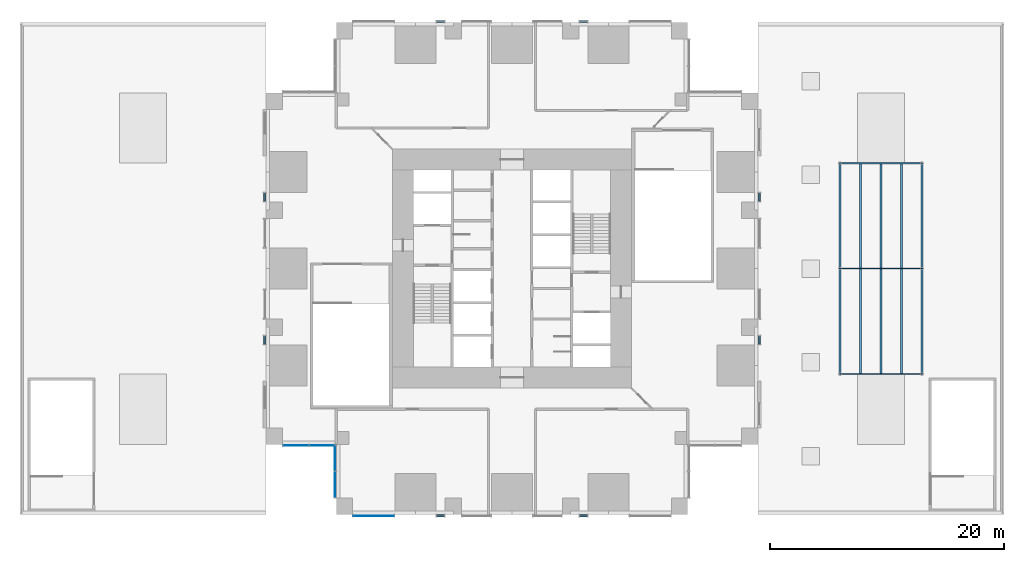
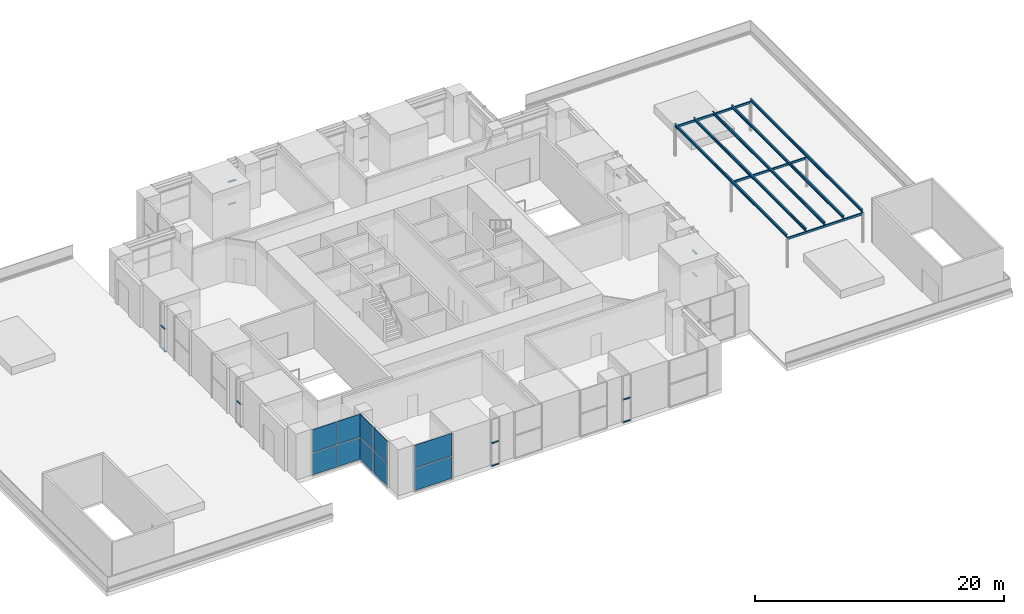
# One storey, part 6 of 14: 21 members, 10 plates, 3 beams, 11 elements without a shape of their own.
"""IFC4 building model written with IfcOpenShell, lengths in metres."""

import ifcopenshell
import ifcopenshell.guid

model = None  # the IFC model being written
_history = None  # IfcOwnerHistory: only IFC2X3 demands one
_inside = {}  # id of a spatial element -> (the spatial element, [elements in it])
_under = {}  # id of a project, library or spatial element -> (it, [spatial elements below it])
_declared = {}  # id of a project -> (the project, [libraries it declares])
_typed = {}  # id of a type object -> (the type object, [elements of that type])
_made_of = {}  # id of a material, layer set ... -> (it, [elements and type objects made of it])


def new_model(schema):
    """Start an empty IFC model of exactly this schema.

    Asked for "IFC4X3", IfcOpenShell would pick the latest addendum, in which some entities
    have other attributes; the version numbers below select the first issue.
    IFC2X3 requires an IfcOwnerHistory on every rooted entity: one is made here for all.
    """
    global model, _history
    if schema == "IFC4X3":
        model = ifcopenshell.file(schema_version=(4, 3, 0, 0))
    else:
        model = ifcopenshell.file(schema=schema)
    _inside.clear()
    _under.clear()
    _declared.clear()
    _typed.clear()
    _made_of.clear()
    _history = None
    if model.schema == "IFC2X3":
        org = make("IfcOrganization", Name="unknown")
        user = make(
            "IfcPersonAndOrganization",
            ThePerson=make("IfcPerson", FamilyName="unknown"),
            TheOrganization=org,
        )
        app = make(
            "IfcApplication",
            ApplicationDeveloper=org,
            Version="unknown",
            ApplicationFullName="unknown",
            ApplicationIdentifier="unknown",
        )
        _history = make(
            "IfcOwnerHistory",
            OwningUser=user,
            OwningApplication=app,
            ChangeAction="ADDED",
            CreationDate=0,
        )
    return model


def make(cls, **values):
    """One entity of the class cls with the attributes given. An attribute that is None is left unset."""
    return model.create_entity(
        cls, **{name: value for name, value in values.items() if value is not None}
    )


def rooted(cls, **values):
    """An entity with a GlobalId (a new one), such as an element, a storey or a relation."""
    return make(cls, GlobalId=ifcopenshell.guid.new(), OwnerHistory=_history, **values)


def si_unit(unit_type, name, prefix=None):
    """IfcSIUnit, for example si_unit("LENGTHUNIT", "METRE", prefix="MILLI")."""
    return make("IfcSIUnit", UnitType=unit_type, Prefix=prefix, Name=name)


def assignment(units):
    """IfcUnitAssignment: the units of a project."""
    return None if units is None else make("IfcUnitAssignment", Units=units)


def point(xyz):
    """IfcCartesianPoint."""
    return None if xyz is None else make("IfcCartesianPoint", Coordinates=xyz)


def direction(xyz):
    """IfcDirection."""
    return None if xyz is None else make("IfcDirection", DirectionRatios=xyz)


def frame(location, z_axis=None, x_axis=None):
    """IfcAxis2Placement3D, a coordinate frame: its origin and axes. An axis left out is left unset."""
    return make(
        "IfcAxis2Placement3D",
        Location=point(location),
        Axis=direction(z_axis),
        RefDirection=direction(x_axis),
    )


def frame_2d(location, x_axis=None):
    """IfcAxis2Placement2D, a coordinate frame in the plane: its origin and x axis."""
    return make(
        "IfcAxis2Placement2D", Location=point(location), RefDirection=direction(x_axis)
    )


def origin():
    """The frame at (0, 0, 0) with its axes left unset."""
    return frame((0.0, 0.0, 0.0))


def origin_2d():
    """The frame at (0, 0) in the plane with its x axis left unset."""
    return frame_2d((0.0, 0.0))


def place(relative_to, where):
    """IfcLocalPlacement: puts the frame where relative to a parent placement (None: the world)."""
    return make(
        "IfcLocalPlacement", PlacementRelTo=relative_to, RelativePlacement=where
    )


def context(
    kind, dimensions, precision=None, world=None, true_north=None, identifier=None
):
    """IfcGeometricRepresentationContext, for example the 3D "Model" context."""
    return make(
        "IfcGeometricRepresentationContext",
        ContextIdentifier=identifier,
        ContextType=kind,
        CoordinateSpaceDimension=dimensions,
        Precision=precision,
        WorldCoordinateSystem=world,
        TrueNorth=true_north,
    )


def subcontext(parent, identifier, kind, view, scale=None):
    """IfcGeometricRepresentationSubContext, for example "Body" below "Model"."""
    return make(
        "IfcGeometricRepresentationSubContext",
        ContextIdentifier=identifier,
        ContextType=kind,
        ParentContext=parent,
        TargetScale=scale,
        TargetView=view,
    )


def project(units=None, contexts=None):
    """IfcProject with its units and contexts."""
    return rooted(
        "IfcProject",
        Name="project",
        RepresentationContexts=contexts,
        UnitsInContext=assignment(units),
    )


def spatial(cls, under=None, at=None, **own):
    """A site, building, storey or space (cls), placed at a placement, below another one or the project."""
    s = rooted(cls, ObjectPlacement=at, **own)
    if under is not None:
        _under.setdefault(under.id(), (under, []))[1].append(s)
    return s


def profile(cls, at=None, kind="AREA", **sizes):
    """A parametric profile (cls). Its sizes go by their IFC names, for example OverallWidth=200.0."""
    return make(cls, ProfileType=kind, Position=at, **sizes)


def rectangle(**sizes):
    """IfcRectangleProfileDef."""
    return profile("IfcRectangleProfileDef", **sizes)


def hollow_rectangle(**sizes):
    """IfcRectangleHollowProfileDef."""
    return profile("IfcRectangleHollowProfileDef", **sizes)


def i_section(**sizes):
    """IfcIShapeProfileDef."""
    return profile("IfcIShapeProfileDef", **sizes)


def extrude(swept, where, along, depth):
    """IfcExtrudedAreaSolid: the profile swept, set in the frame where, extruded along a direction by depth."""
    return make(
        "IfcExtrudedAreaSolid",
        SweptArea=swept,
        Position=where,
        ExtrudedDirection=direction(along),
        Depth=depth,
    )


def shape(context_of_items, identifier, shape_type, items):
    """IfcShapeRepresentation: the items that make up one representation, for example the "Body"."""
    return make(
        "IfcShapeRepresentation",
        ContextOfItems=context_of_items,
        RepresentationIdentifier=identifier,
        RepresentationType=shape_type,
        Items=items,
    )


def material(Name=None, Category=None):
    """IfcMaterial."""
    return make("IfcMaterial", Name=Name, Category=Category)


def layer(
    of_material, thickness, ventilated=None, Name=None, Category=None, Priority=None
):
    """IfcMaterialLayer: one layer of a wall or slab, of a material (None: an air gap)."""
    return make(
        "IfcMaterialLayer",
        Material=of_material,
        LayerThickness=thickness,
        IsVentilated=ventilated,
        Name=Name,
        Category=Category,
        Priority=Priority,
    )


def layer_set(layers, Name=None):
    """IfcMaterialLayerSet."""
    return make("IfcMaterialLayerSet", MaterialLayers=layers, LayerSetName=Name)


def material_profile(
    of_material, cross_section, Name=None, Category=None, Priority=None
):
    """IfcMaterialProfile: a cross section and its material."""
    return make(
        "IfcMaterialProfile",
        Name=Name,
        Material=of_material,
        Profile=cross_section,
        Priority=Priority,
        Category=Category,
    )


def profile_set(profiles, Name=None, composite=None):
    """IfcMaterialProfileSet."""
    return make(
        "IfcMaterialProfileSet",
        Name=Name,
        MaterialProfiles=profiles,
        CompositeProfile=composite,
    )


def made_of(thing, what):
    """Note that an element or type object is made of a material, layer set ...; save() writes the relation."""
    if what is not None:
        _made_of.setdefault(what.id(), (what, []))[1].append(thing)
    return thing


def type_object(cls, material=None, **own):
    """A type object (cls), such as IfcWallType, which elements share."""
    return made_of(rooted(cls, **own), material)


def element(
    cls,
    number,
    at=None,
    inside=None,
    cuts=None,
    type_object=None,
    material=None,
    context=None,
    identifier="Body",
    shape_type=None,
    held_by="IfcProductDefinitionShape",
    body=None,
    shapes=None,
    **own,
):
    """One element of the class cls, such as IfcWall. Its Tag is "e" and its number.

    at: its placement. inside: the storey or other place that contains it. cuts: it is an
    opening in that element (IfcRelVoidsElement). A single representation is given by context,
    identifier, shape_type and body (its items); several are given by shapes. held_by: the class
    of the entity that holds the representations. save() writes the other relations.
    """
    e = rooted(cls, Tag="e%d" % number, ObjectPlacement=at, **own)
    if body is not None:
        shapes = [shape(context, identifier, shape_type, body)]
    if shapes is not None:
        e.Representation = make(held_by, Representations=shapes)
    if inside is not None:
        _inside.setdefault(inside.id(), (inside, []))[1].append(e)
    if cuts is not None:
        rooted(
            "IfcRelVoidsElement", RelatingBuildingElement=cuts, RelatedOpeningElement=e
        )
    if type_object is not None:
        _typed.setdefault(type_object.id(), (type_object, []))[1].append(e)
    return made_of(e, material)


def aggregate(whole, parts):
    """IfcRelAggregates: a whole, such as a stair, and the parts it consists of."""
    return rooted("IfcRelAggregates", RelatingObject=whole, RelatedObjects=parts)


def save(model, path):
    """Write the relations noted so far, then the file.

    IfcRelAggregates (storeys below a building ...), IfcRelContainedInSpatialStructure (elements
    in a storey), IfcRelDefinesByType, IfcRelAssociatesMaterial and IfcRelDeclares: one each for
    every whole, place, type object, material and project.
    """
    for whole, parts in _under.values():
        aggregate(whole, parts)
    for where, things in _inside.values():
        rooted(
            "IfcRelContainedInSpatialStructure",
            RelatedElements=things,
            RelatingStructure=where,
        )
    for kind, things in _typed.values():
        rooted("IfcRelDefinesByType", RelatedObjects=things, RelatingType=kind)
    for what, things in _made_of.values():
        rooted("IfcRelAssociatesMaterial", RelatedObjects=things, RelatingMaterial=what)
    for by, libraries in _declared.values():
        rooted("IfcRelDeclares", RelatingContext=by, RelatedDefinitions=libraries)
    model.write(path)


model = new_model("IFC4")

# Units and contexts
model_context = context("Model", 3, precision=1e-05, world=origin(), true_north=direction((0.0, 1.0)))
body_context = subcontext(model_context, "Body", "Model", "MODEL_VIEW")
ifc_project = project(units=[si_unit("LENGTHUNIT", "METRE"), si_unit("AREAUNIT", "SQUARE_METRE"), si_unit("VOLUMEUNIT", "CUBIC_METRE"), si_unit("PLANEANGLEUNIT", "RADIAN"), si_unit("MASSUNIT", "GRAM", prefix="KILO")], contexts=[model_context])

# Site, building, storey
site_placement = place(None, origin())
site = spatial("IfcSite", under=ifc_project, at=site_placement, CompositionType="ELEMENT")
building_placement = place(site_placement, origin())
building = spatial("IfcBuilding", under=site, at=building_placement, Name="Svetlomir Tower", CompositionType="ELEMENT")
storey_placement = place(building_placement, frame((0.0, 0.0, 18.0)))
storey = spatial("IfcBuildingStorey", under=building, at=storey_placement, Name="L03", CompositionType="ELEMENT", Elevation=18.0)

# Curtain wall, members
ifc_material_1 = material(Name="Bronze anodised aluminium curtain wall", Category="aluminium")
curtain_wall_type = type_object("IfcCurtainWallType", Name="CURTAIN WALL CW2 SKY LOBBY", PredefinedType="NOTDEFINED", material=ifc_material_1)
curtain_wall_1_placement = place(storey_placement, origin())
curtain_wall_1 = element("IfcCurtainWall", 1, at=curtain_wall_1_placement, inside=storey, type_object=curtain_wall_type, Name="Curtain wall CW2 L03", PredefinedType="NOTDEFINED")
ifc_material_2 = material(Name="Bronze anodised aluminium", Category="aluminium")
ifc_material_profile_1 = material_profile(ifc_material_2, rectangle(XDim=0.159912109375, YDim=0.06494140625, at=origin_2d()), Name="AL 160x65")
ifc_profile_set_1 = profile_set([ifc_material_profile_1], Name="Bronze anodised aluminium 6063-T6")
member_type_1 = type_object("IfcMemberType", Name="CW2 TRANSOM 65x160", PredefinedType="USERDEFINED", material=ifc_profile_set_1)
member_1_placement = place(storey_placement, frame((14.56494140625, -0.10009765625, 0.032470703125), z_axis=(1.0, 0.0, 0.0), x_axis=(0.0, 1.0, 0.0)))
member_1 = element("IfcMember", 2, at=member_1_placement, type_object=member_type_1, Name="CW2 transom 1.1", ObjectType="TRANSOM", PredefinedType="USERDEFINED", context=body_context, shape_type="SweptSolid", body=[
    extrude(rectangle(XDim=0.159912109375, YDim=0.06494140625, at=origin_2d()), origin(), (0.0, 0.0, 1.0), 0.670166015625),
])
member_2_placement = place(storey_placement, frame((14.56494140625, -0.10009765625, 2.25), z_axis=(1.0, 0.0, 0.0), x_axis=(0.0, 1.0, 0.0)))
member_2 = element("IfcMember", 3, at=member_2_placement, type_object=member_type_1, Name="CW2 transom 1.2", ObjectType="TRANSOM", PredefinedType="USERDEFINED", context=body_context, shape_type="SweptSolid", body=[
    extrude(rectangle(XDim=0.159912109375, YDim=0.06494140625, at=origin_2d()), origin(), (0.0, 0.0, 1.0), 0.670166015625),
])
aggregate(curtain_wall_1, [member_1, member_2])

curtain_wall_2_placement = place(storey_placement, origin())
curtain_wall_2 = element("IfcCurtainWall", 4, at=curtain_wall_2_placement, inside=storey, type_object=curtain_wall_type, Name="Curtain wall CW2 L03", PredefinedType="NOTDEFINED")
member_3_placement = place(storey_placement, frame((26.764892578125, -0.10009765625, 0.032470703125), z_axis=(1.0, 0.0, 0.0), x_axis=(0.0, 1.0, 0.0)))
member_3 = element("IfcMember", 5, at=member_3_placement, type_object=member_type_1, Name="CW2 transom 1.1", ObjectType="TRANSOM", PredefinedType="USERDEFINED", context=body_context, shape_type="SweptSolid", body=[
    extrude(rectangle(XDim=0.159912109375, YDim=0.06494140625, at=origin_2d()), origin(), (0.0, 0.0, 1.0), 0.670166015625),
])
member_4_placement = place(storey_placement, frame((26.764892578125, -0.10009765625, 2.25), z_axis=(1.0, 0.0, 0.0), x_axis=(0.0, 1.0, 0.0)))
member_4 = element("IfcMember", 6, at=member_4_placement, type_object=member_type_1, Name="CW2 transom 1.2", ObjectType="TRANSOM", PredefinedType="USERDEFINED", context=body_context, shape_type="SweptSolid", body=[
    extrude(rectangle(XDim=0.159912109375, YDim=0.06494140625, at=origin_2d()), origin(), (0.0, 0.0, 1.0), 0.670166015625),
])
aggregate(curtain_wall_2, [member_3, member_4])

curtain_wall_3_placement = place(storey_placement, origin())
curtain_wall_3 = element("IfcCurtainWall", 7, at=curtain_wall_3_placement, inside=storey, type_object=curtain_wall_type, Name="Curtain wall CW2 L03", PredefinedType="NOTDEFINED")
member_5_placement = place(storey_placement, frame((42.10009765625, 14.56494140625, 0.032470703125), z_axis=(0.0, 1.0, 0.0), x_axis=(-1.0, 0.0, 0.0)))
member_5 = element("IfcMember", 8, at=member_5_placement, type_object=member_type_1, Name="CW2 transom 1.1", ObjectType="TRANSOM", PredefinedType="USERDEFINED", context=body_context, shape_type="SweptSolid", body=[
    extrude(rectangle(XDim=0.159912109375, YDim=0.06494140625, at=origin_2d()), origin(), (0.0, 0.0, 1.0), 0.670166015625),
])
member_6_placement = place(storey_placement, frame((42.10009765625, 14.56494140625, 2.25), z_axis=(0.0, 1.0, 0.0), x_axis=(-1.0, 0.0, 0.0)))
member_6 = element("IfcMember", 9, at=member_6_placement, type_object=member_type_1, Name="CW2 transom 1.2", ObjectType="TRANSOM", PredefinedType="USERDEFINED", context=body_context, shape_type="SweptSolid", body=[
    extrude(rectangle(XDim=0.159912109375, YDim=0.06494140625, at=origin_2d()), origin(), (0.0, 0.0, 1.0), 0.670166015625),
])
aggregate(curtain_wall_3, [member_5, member_6])

curtain_wall_4_placement = place(storey_placement, origin())
curtain_wall_4 = element("IfcCurtainWall", 10, at=curtain_wall_4_placement, inside=storey, type_object=curtain_wall_type, Name="Curtain wall CW2 L03", PredefinedType="NOTDEFINED")
member_7_placement = place(storey_placement, frame((42.10009765625, 26.764892578125, 0.032470703125), z_axis=(0.0, 1.0, 0.0), x_axis=(-1.0, 0.0, 0.0)))
member_7 = element("IfcMember", 11, at=member_7_placement, type_object=member_type_1, Name="CW2 transom 1.1", ObjectType="TRANSOM", PredefinedType="USERDEFINED", context=body_context, shape_type="SweptSolid", body=[
    extrude(rectangle(XDim=0.159912109375, YDim=0.06494140625, at=origin_2d()), origin(), (0.0, 0.0, 1.0), 0.670166015625),
])
member_8_placement = place(storey_placement, frame((42.10009765625, 26.764892578125, 2.25), z_axis=(0.0, 1.0, 0.0), x_axis=(-1.0, 0.0, 0.0)))
member_8 = element("IfcMember", 12, at=member_8_placement, type_object=member_type_1, Name="CW2 transom 1.2", ObjectType="TRANSOM", PredefinedType="USERDEFINED", context=body_context, shape_type="SweptSolid", body=[
    extrude(rectangle(XDim=0.159912109375, YDim=0.06494140625, at=origin_2d()), origin(), (0.0, 0.0, 1.0), 0.670166015625),
])
aggregate(curtain_wall_4, [member_7, member_8])

curtain_wall_5_placement = place(storey_placement, origin())
curtain_wall_5 = element("IfcCurtainWall", 13, at=curtain_wall_5_placement, inside=storey, type_object=curtain_wall_type, Name="Curtain wall CW2 L03", PredefinedType="NOTDEFINED")
member_9_placement = place(storey_placement, frame((27.43505859375, 42.10009765625, 0.032470703125), z_axis=(-1.0, 0.0, 0.0), x_axis=(0.0, -1.0, 0.0)))
member_9 = element("IfcMember", 14, at=member_9_placement, type_object=member_type_1, Name="CW2 transom 1.1", ObjectType="TRANSOM", PredefinedType="USERDEFINED", context=body_context, shape_type="SweptSolid", body=[
    extrude(rectangle(XDim=0.159912109375, YDim=0.06494140625, at=origin_2d()), origin(), (0.0, 0.0, 1.0), 0.670166015625),
])
member_10_placement = place(storey_placement, frame((27.43505859375, 42.10009765625, 2.25), z_axis=(-1.0, 0.0, 0.0), x_axis=(0.0, -1.0, 0.0)))
member_10 = element("IfcMember", 15, at=member_10_placement, type_object=member_type_1, Name="CW2 transom 1.2", ObjectType="TRANSOM", PredefinedType="USERDEFINED", context=body_context, shape_type="SweptSolid", body=[
    extrude(rectangle(XDim=0.159912109375, YDim=0.06494140625, at=origin_2d()), origin(), (0.0, 0.0, 1.0), 0.670166015625),
])
aggregate(curtain_wall_5, [member_9, member_10])

curtain_wall_6_placement = place(storey_placement, origin())
curtain_wall_6 = element("IfcCurtainWall", 16, at=curtain_wall_6_placement, inside=storey, type_object=curtain_wall_type, Name="Curtain wall CW2 L03", PredefinedType="NOTDEFINED")
member_11_placement = place(storey_placement, frame((15.235107421875, 42.10009765625, 0.032470703125), z_axis=(-1.0, 0.0, 0.0), x_axis=(0.0, -1.0, 0.0)))
member_11 = element("IfcMember", 17, at=member_11_placement, type_object=member_type_1, Name="CW2 transom 1.1", ObjectType="TRANSOM", PredefinedType="USERDEFINED", context=body_context, shape_type="SweptSolid", body=[
    extrude(rectangle(XDim=0.159912109375, YDim=0.06494140625, at=origin_2d()), origin(), (0.0, 0.0, 1.0), 0.670166015625),
])
member_12_placement = place(storey_placement, frame((15.235107421875, 42.10009765625, 2.25), z_axis=(-1.0, 0.0, 0.0), x_axis=(0.0, -1.0, 0.0)))
member_12 = element("IfcMember", 18, at=member_12_placement, type_object=member_type_1, Name="CW2 transom 1.2", ObjectType="TRANSOM", PredefinedType="USERDEFINED", context=body_context, shape_type="SweptSolid", body=[
    extrude(rectangle(XDim=0.159912109375, YDim=0.06494140625, at=origin_2d()), origin(), (0.0, 0.0, 1.0), 0.670166015625),
])
aggregate(curtain_wall_6, [member_11, member_12])

curtain_wall_7_placement = place(storey_placement, origin())
curtain_wall_7 = element("IfcCurtainWall", 19, at=curtain_wall_7_placement, inside=storey, type_object=curtain_wall_type, Name="Curtain wall CW2 L03", PredefinedType="NOTDEFINED")
member_13_placement = place(storey_placement, frame((-0.10009765625, 27.43505859375, 0.032470703125), z_axis=(0.0, -1.0, 0.0), x_axis=(1.0, 0.0, 0.0)))
member_13 = element("IfcMember", 20, at=member_13_placement, type_object=member_type_1, Name="CW2 transom 1.1", ObjectType="TRANSOM", PredefinedType="USERDEFINED", context=body_context, shape_type="SweptSolid", body=[
    extrude(rectangle(XDim=0.159912109375, YDim=0.06494140625, at=origin_2d()), origin(), (0.0, 0.0, 1.0), 0.670166015625),
])
member_14_placement = place(storey_placement, frame((-0.10009765625, 27.43505859375, 2.25), z_axis=(0.0, -1.0, 0.0), x_axis=(1.0, 0.0, 0.0)))
member_14 = element("IfcMember", 21, at=member_14_placement, type_object=member_type_1, Name="CW2 transom 1.2", ObjectType="TRANSOM", PredefinedType="USERDEFINED", context=body_context, shape_type="SweptSolid", body=[
    extrude(rectangle(XDim=0.159912109375, YDim=0.06494140625, at=origin_2d()), origin(), (0.0, 0.0, 1.0), 0.670166015625),
])
aggregate(curtain_wall_7, [member_13, member_14])

curtain_wall_8_placement = place(storey_placement, origin())
curtain_wall_8 = element("IfcCurtainWall", 22, at=curtain_wall_8_placement, inside=storey, type_object=curtain_wall_type, Name="Curtain wall CW2 L03", PredefinedType="NOTDEFINED")
member_15_placement = place(storey_placement, frame((-0.10009765625, 15.235107421875, 0.032470703125), z_axis=(0.0, -1.0, 0.0), x_axis=(1.0, 0.0, 0.0)))
member_15 = element("IfcMember", 23, at=member_15_placement, type_object=member_type_1, Name="CW2 transom 1.1", ObjectType="TRANSOM", PredefinedType="USERDEFINED", context=body_context, shape_type="SweptSolid", body=[
    extrude(rectangle(XDim=0.159912109375, YDim=0.06494140625, at=origin_2d()), origin(), (0.0, 0.0, 1.0), 0.670166015625),
])
member_16_placement = place(storey_placement, frame((-0.10009765625, 15.235107421875, 2.25), z_axis=(0.0, -1.0, 0.0), x_axis=(1.0, 0.0, 0.0)))
member_16 = element("IfcMember", 24, at=member_16_placement, type_object=member_type_1, Name="CW2 transom 1.2", ObjectType="TRANSOM", PredefinedType="USERDEFINED", context=body_context, shape_type="SweptSolid", body=[
    extrude(rectangle(XDim=0.159912109375, YDim=0.06494140625, at=origin_2d()), origin(), (0.0, 0.0, 1.0), 0.670166015625),
])
aggregate(curtain_wall_8, [member_15, member_16])

# Beams
ifc_material_3 = material(Name="Steel S355", Category="steel")
ifc_material_profile_2 = material_profile(ifc_material_3, hollow_rectangle(XDim=0.10009765625, YDim=0.199951171875, WallThickness=0.008056640625, at=origin_2d()), Name="RHS 200x100x8")
ifc_profile_set_2 = profile_set([ifc_material_profile_2], Name="Steel S355")
beam_type = type_object("IfcBeamType", Name="PERGOLA BEAM RHS 200x100x8", PredefinedType="BEAM", material=ifc_profile_set_2)
for number, where, z_axis, x_axis, name in (
    (25, (49.0, 12.0, 2.89990234375), (1.0, 0.0, 0.0), (0.0, 1.0, 0.0), "Pergola beam E"),
    (26, (49.0, 21.0, 2.89990234375), (1.0, 0.0, 0.0), (0.0, 1.0, 0.0), "Pergola beam E"),
    (27, (49.0, 30.0, 2.89990234375), (1.0, 0.0, 0.0), (0.0, 1.0, 0.0), "Pergola beam E"),
):
    element("IfcBeam", number, at=place(storey_placement, frame(where, z_axis=z_axis, x_axis=x_axis)), inside=storey, type_object=beam_type, Name=name, PredefinedType="BEAM", context=body_context, shape_type="SweptSolid", body=[
        extrude(hollow_rectangle(XDim=0.10009765625, YDim=0.199951171875, WallThickness=0.008056640625, at=origin_2d()), origin(), (0.0, 0.0, 1.0), 7.0),
    ])

# Members
ifc_material_4 = material(Name="Steel S355", Category="steel")
ifc_material_profile_3 = material_profile(ifc_material_4, i_section(OverallWidth=0.135009765625, OverallDepth=0.27001953125, WebThickness=0.006591796875, FlangeThickness=0.01025390625, FilletRadius=0.014892578125, at=origin_2d()), Name="IPE 270")
ifc_profile_set_3 = profile_set([ifc_material_profile_3], Name="Steel S355")
member_type_2 = type_object("IfcMemberType", Name="PERGOLA PURLIN IPE 270", PredefinedType="PURLIN", material=ifc_profile_set_3)
for number, where, z_axis, x_axis, name in (
    (28, (49.0, 12.0, 3.135009765625), (0.0, 1.0, 0.0), (-1.0, 0.0, 0.0), "Pergola purlin E1"),
    (29, (50.75, 12.0, 3.135009765625), (0.0, 1.0, 0.0), (-1.0, 0.0, 0.0), "Pergola purlin E2"),
    (30, (52.5, 12.0, 3.135009765625), (0.0, 1.0, 0.0), (-1.0, 0.0, 0.0), "Pergola purlin E3"),
    (31, (54.25, 12.0, 3.135009765625), (0.0, 1.0, 0.0), (-1.0, 0.0, 0.0), "Pergola purlin E4"),
    (32, (56.0, 12.0, 3.135009765625), (0.0, 1.0, 0.0), (-1.0, 0.0, 0.0), "Pergola purlin E5"),
):
    element("IfcMember", number, at=place(storey_placement, frame(where, z_axis=z_axis, x_axis=x_axis)), inside=storey, type_object=member_type_2, Name=name, PredefinedType="PURLIN", context=body_context, shape_type="SweptSolid", body=[
        extrude(i_section(OverallWidth=0.135009765625, OverallDepth=0.27001953125, WebThickness=0.006591796875, FlangeThickness=0.01025390625, FilletRadius=0.014892578125, at=origin_2d()), origin(), (0.0, 0.0, 1.0), 18.0),
    ])

# Curtain wall, plates
curtain_wall_9_placement = place(storey_placement, origin())
curtain_wall_9 = element("IfcCurtainWall", 33, at=curtain_wall_9_placement, inside=storey, type_object=curtain_wall_type, Name="Curtain wall CW2 L03", PredefinedType="NOTDEFINED")
ifc_material_5 = material(Name="Tinted double glazed unit", Category="glass")
ifc_layer = layer(ifc_material_5, 0.035888671875)
ifc_layer_set = layer_set([ifc_layer], Name="Tinted double glazed unit")
plate_type = type_object("IfcPlateType", Name="CW2 GLAZED PANEL 36", PredefinedType="CURTAIN_PANEL", material=ifc_layer_set)
plate_1_placement = place(storey_placement, frame((9.199951171875, -0.10009765625, 0.06494140625), z_axis=(0.0, 0.0, 1.0), x_axis=(1.0, 0.0, 0.0)))
plate_1 = element("IfcPlate", 34, at=plate_1_placement, type_object=plate_type, Name="CW2 panel 1.1", PredefinedType="CURTAIN_PANEL", context=body_context, shape_type="SweptSolid", body=[
    extrude(rectangle(XDim=3.469970703125, YDim=0.035888671875, at=origin_2d()), origin(), (0.0, 0.0, 1.0), 2.152587890625),
])
plate_2_placement = place(storey_placement, frame((9.199951171875, -0.10009765625, 2.28271484375), z_axis=(0.0, 0.0, 1.0), x_axis=(1.0, 0.0, 0.0)))
plate_2 = element("IfcPlate", 35, at=plate_2_placement, type_object=plate_type, Name="CW2 panel 1.2", PredefinedType="CURTAIN_PANEL", context=body_context, shape_type="SweptSolid", body=[
    extrude(rectangle(XDim=3.469970703125, YDim=0.035888671875, at=origin_2d()), origin(), (0.0, 0.0, 1.0), 2.217529296875),
])
aggregate(curtain_wall_9, [plate_1, plate_2])

curtain_wall_10_placement = place(storey_placement, origin())
curtain_wall_10 = element("IfcCurtainWall", 36, at=curtain_wall_10_placement, inside=storey, type_object=curtain_wall_type, Name="Curtain wall CW2 L03", PredefinedType="NOTDEFINED")
plate_3_placement = place(storey_placement, frame((2.566162109375, 5.89990234375, 0.06494140625), z_axis=(0.0, 0.0, 1.0), x_axis=(1.0, 0.0, 0.0)))
plate_3 = element("IfcPlate", 37, at=plate_3_placement, type_object=plate_type, Name="CW2 panel 1.1", PredefinedType="CURTAIN_PANEL", context=body_context, shape_type="SweptSolid", body=[
    extrude(rectangle(XDim=2.202392578125, YDim=0.035888671875, at=origin_2d()), origin(), (0.0, 0.0, 1.0), 2.152587890625),
])
plate_4_placement = place(storey_placement, frame((2.566162109375, 5.89990234375, 2.28271484375), z_axis=(0.0, 0.0, 1.0), x_axis=(1.0, 0.0, 0.0)))
plate_4 = element("IfcPlate", 38, at=plate_4_placement, type_object=plate_type, Name="CW2 panel 1.2", PredefinedType="CURTAIN_PANEL", context=body_context, shape_type="SweptSolid", body=[
    extrude(rectangle(XDim=2.202392578125, YDim=0.035888671875, at=origin_2d()), origin(), (0.0, 0.0, 1.0), 2.217529296875),
])
plate_5_placement = place(storey_placement, frame((4.833740234375, 5.89990234375, 0.06494140625), z_axis=(0.0, 0.0, 1.0), x_axis=(1.0, 0.0, 0.0)))
plate_5 = element("IfcPlate", 39, at=plate_5_placement, type_object=plate_type, Name="CW2 panel 2.1", PredefinedType="CURTAIN_PANEL", context=body_context, shape_type="SweptSolid", body=[
    extrude(rectangle(XDim=2.202392578125, YDim=0.035888671875, at=origin_2d()), origin(), (0.0, 0.0, 1.0), 2.152587890625),
])
plate_6_placement = place(storey_placement, frame((4.833740234375, 5.89990234375, 2.28271484375), z_axis=(0.0, 0.0, 1.0), x_axis=(1.0, 0.0, 0.0)))
plate_6 = element("IfcPlate", 40, at=plate_6_placement, type_object=plate_type, Name="CW2 panel 2.2", PredefinedType="CURTAIN_PANEL", context=body_context, shape_type="SweptSolid", body=[
    extrude(rectangle(XDim=2.202392578125, YDim=0.035888671875, at=origin_2d()), origin(), (0.0, 0.0, 1.0), 2.217529296875),
])
aggregate(curtain_wall_10, [plate_3, plate_4, plate_5, plate_6])

curtain_wall_11_placement = place(storey_placement, origin())
curtain_wall_11 = element("IfcCurtainWall", 41, at=curtain_wall_11_placement, inside=storey, type_object=curtain_wall_type, Name="Curtain wall CW2 L03", PredefinedType="NOTDEFINED")
plate_7_placement = place(storey_placement, frame((5.89990234375, 4.833740234375, 0.06494140625), z_axis=(0.0, 0.0, 1.0), x_axis=(0.0, -1.0, 0.0)))
plate_7 = element("IfcPlate", 42, at=plate_7_placement, type_object=plate_type, Name="CW2 panel 1.1", PredefinedType="CURTAIN_PANEL", context=body_context, shape_type="SweptSolid", body=[
    extrude(rectangle(XDim=2.202392578125, YDim=0.035888671875, at=origin_2d()), origin(), (0.0, 0.0, 1.0), 2.152587890625),
])
plate_8_placement = place(storey_placement, frame((5.89990234375, 4.833740234375, 2.28271484375), z_axis=(0.0, 0.0, 1.0), x_axis=(0.0, -1.0, 0.0)))
plate_8 = element("IfcPlate", 43, at=plate_8_placement, type_object=plate_type, Name="CW2 panel 1.2", PredefinedType="CURTAIN_PANEL", context=body_context, shape_type="SweptSolid", body=[
    extrude(rectangle(XDim=2.202392578125, YDim=0.035888671875, at=origin_2d()), origin(), (0.0, 0.0, 1.0), 2.217529296875),
])
plate_9_placement = place(storey_placement, frame((5.89990234375, 2.566162109375, 0.06494140625), z_axis=(0.0, 0.0, 1.0), x_axis=(0.0, -1.0, 0.0)))
plate_9 = element("IfcPlate", 44, at=plate_9_placement, type_object=plate_type, Name="CW2 panel 2.1", PredefinedType="CURTAIN_PANEL", context=body_context, shape_type="SweptSolid", body=[
    extrude(rectangle(XDim=2.202392578125, YDim=0.035888671875, at=origin_2d()), origin(), (0.0, 0.0, 1.0), 2.152587890625),
])
plate_10_placement = place(storey_placement, frame((5.89990234375, 2.566162109375, 2.28271484375), z_axis=(0.0, 0.0, 1.0), x_axis=(0.0, -1.0, 0.0)))
plate_10 = element("IfcPlate", 45, at=plate_10_placement, type_object=plate_type, Name="CW2 panel 2.2", PredefinedType="CURTAIN_PANEL", context=body_context, shape_type="SweptSolid", body=[
    extrude(rectangle(XDim=2.202392578125, YDim=0.035888671875, at=origin_2d()), origin(), (0.0, 0.0, 1.0), 2.217529296875),
])
aggregate(curtain_wall_11, [plate_7, plate_8, plate_9, plate_10])

save(model, "model.ifc")
